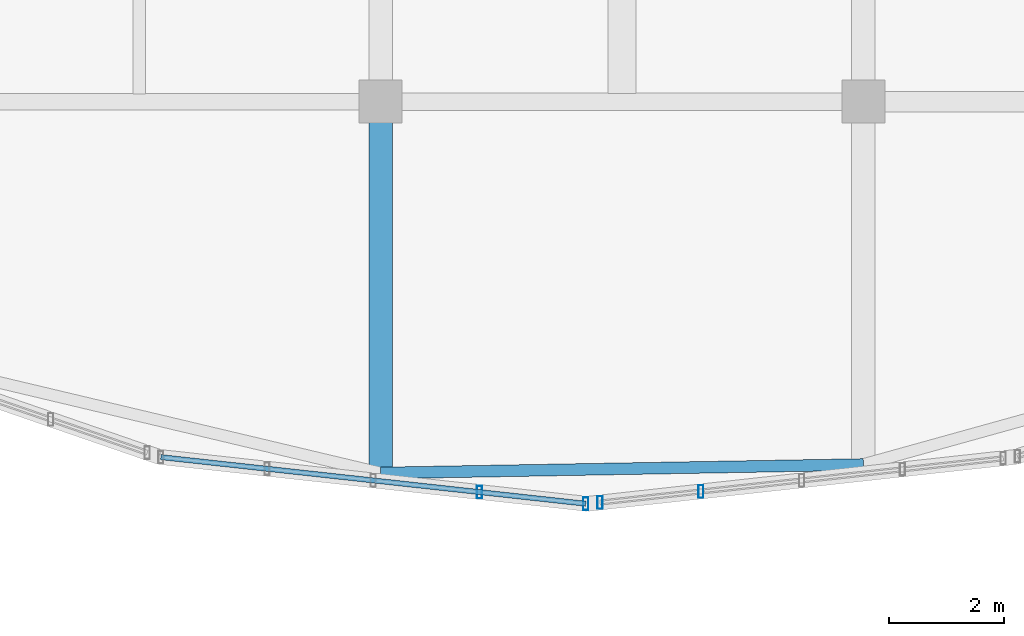
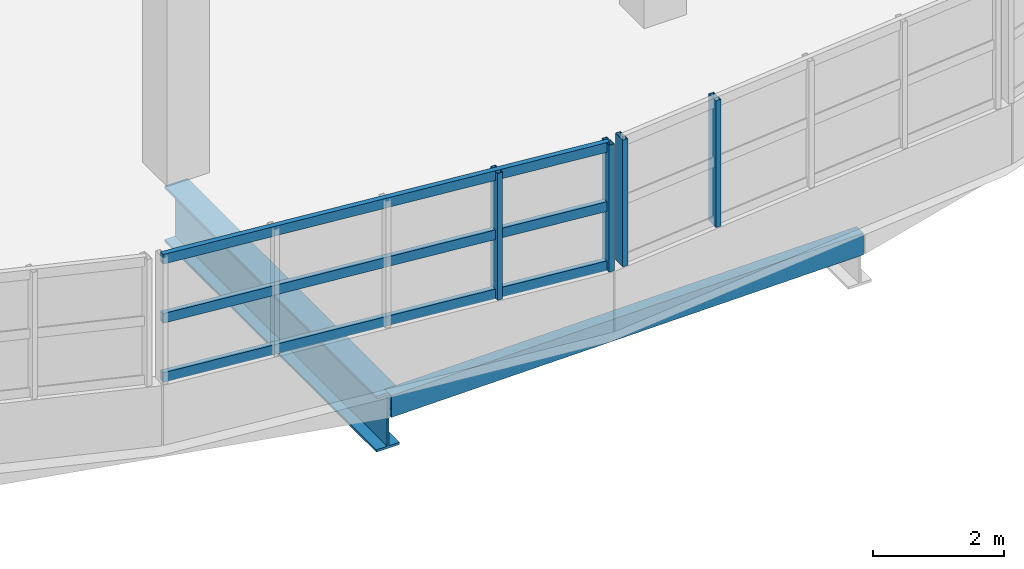
# One storey, part 7 of 77: 7 members, 2 beams, 2 elements without a shape of their own.
"""IFC4 building model written with IfcOpenShell, lengths in metres."""

from ifc_helpers import new_model, si_unit, direction, frame, origin, origin_2d, place, context, subcontext, project, spatial, hollow_rectangle, i_section, extrude, material, material_profile, profile_set, type_object, element, aggregate, save


model = new_model("IFC4")

# Units and contexts
model_context = context("Model", 3, precision=1e-05, world=origin(), true_north=direction((0.0, 1.0)))
body_context = subcontext(model_context, "Body", "Model", "MODEL_VIEW")
ifc_project = project(units=[si_unit("LENGTHUNIT", "METRE"), si_unit("AREAUNIT", "SQUARE_METRE"), si_unit("VOLUMEUNIT", "CUBIC_METRE"), si_unit("PLANEANGLEUNIT", "RADIAN"), si_unit("MASSUNIT", "GRAM", prefix="KILO")], contexts=[model_context])

# Site, building, storey
site_placement = place(None, origin())
site = spatial("IfcSite", under=ifc_project, at=site_placement, CompositionType="ELEMENT")
building_placement = place(site_placement, origin())
building = spatial("IfcBuilding", under=site, at=building_placement, Name="Solvento Point Concert Hall", CompositionType="ELEMENT")
storey_placement = place(building_placement, frame((0.0, 0.0, 10.199951171875)))
storey = spatial("IfcBuildingStorey", under=building, at=storey_placement, Name="L02", CompositionType="ELEMENT", Elevation=10.199951171875)

# Beam
ifc_material_1 = material(Name="Structural Steel ASTM A992 Grade 50", Category="steel")
ifc_material_profile_1 = material_profile(ifc_material_1, i_section(OverallWidth=0.408935546875, OverallDepth=1.041015625, WebThickness=0.031005859375, FlangeThickness=0.04443359375, at=origin_2d()), Name="W40X397")
ifc_profile_set_1 = profile_set([ifc_material_profile_1], Name="Structural Steel ASTM A992 Grade 50")
beam_type_1 = type_object("IfcBeamType", Name="CantileverGirder_W40X397", PredefinedType="USERDEFINED", material=ifc_profile_set_1)
beam_1_placement = place(storey_placement, frame((57.60009765625, 17.0, -0.79541015625), z_axis=(0.0, -1.0, 0.0), x_axis=(1.0, 0.0, 0.0)))
element("IfcBeam", 1, at=beam_1_placement, inside=storey, type_object=beam_type_1, Name="Radial cantilever girder CG-01 L02", ObjectType="GIRDER", PredefinedType="USERDEFINED", context=body_context, shape_type="SweptSolid", body=[
    extrude(i_section(OverallWidth=0.408935546875, OverallDepth=1.041015625, WebThickness=0.031005859375, FlangeThickness=0.04443359375, at=origin_2d()), origin(), (0.0, 0.0, 1.0), 6.4619140625),
])

# Curtain wall, members
ifc_material_2 = material(Name="Anodized Bronze Aluminium", Category="aluminium")
curtain_wall_type = type_object("IfcCurtainWallType", Name="CurtainWall_RingRibbon_L01_02", PredefinedType="USERDEFINED", material=ifc_material_2)
curtain_wall_1_placement = place(storey_placement, origin())
curtain_wall_1 = element("IfcCurtainWall", 2, at=curtain_wall_1_placement, inside=storey, type_object=curtain_wall_type, Name="Unitised curtain wall CW-59 UCW-L02-165", ObjectType="UNITISED CURTAIN WALL", PredefinedType="USERDEFINED")
ifc_material_3 = material(Name="Anodized Bronze Aluminium", Category="aluminium")
ifc_material_profile_2 = material_profile(ifc_material_3, hollow_rectangle(XDim=0.090087890625, YDim=0.219970703125, WallThickness=0.00439453125, at=origin_2d()), Name="CW-MUL-90X220")
ifc_profile_set_2 = profile_set([ifc_material_profile_2], Name="Anodized Bronze Aluminium")
member_type_1 = type_object("IfcMemberType", Name="Mullion_90x220", PredefinedType="MULLION", material=ifc_profile_set_2)
member_1_placement = place(storey_placement, frame((61.170166015625, 10.00341796875, 1.1201171875), z_axis=(0.0, 0.0, 1.0), x_axis=(1.0, 0.0, 0.0)))
member_1 = element("IfcMember", 3, at=member_1_placement, type_object=member_type_1, Name="Curtain wall mullion ML-02", PredefinedType="MULLION", context=body_context, shape_type="SweptSolid", body=[
    extrude(hollow_rectangle(XDim=0.090087890625, YDim=0.219970703125, WallThickness=0.00439453125, at=origin_2d()), origin(), (0.0, 0.0, 1.0), 2.36181640625),
])
member_2_placement = place(storey_placement, frame((59.321533203125, 10.2060546875, 1.1201171875), z_axis=(0.0, 0.0, 1.0), x_axis=(1.0, 0.0, 0.0)))
member_2 = element("IfcMember", 4, at=member_2_placement, type_object=member_type_1, Name="Curtain wall mullion ML-02", PredefinedType="MULLION", context=body_context, shape_type="SweptSolid", body=[
    extrude(hollow_rectangle(XDim=0.090087890625, YDim=0.219970703125, WallThickness=0.00439453125, at=origin_2d()), origin(), (0.0, 0.0, 1.0), 2.36181640625),
])

curtain_wall_2_placement = place(storey_placement, origin())
curtain_wall_2 = element("IfcCurtainWall", 5, at=curtain_wall_2_placement, inside=storey, type_object=curtain_wall_type, Name="Unitised curtain wall CW-59 UCW-L02-185", ObjectType="UNITISED CURTAIN WALL", PredefinedType="USERDEFINED")
member_3_placement = place(storey_placement, frame((63.1728515625, 10.21630859375, 1.1201171875), z_axis=(0.0, 0.0, 1.0), x_axis=(1.0, 0.0, 0.0)))
member_3 = element("IfcMember", 6, at=member_3_placement, type_object=member_type_1, Name="Curtain wall mullion ML-02", PredefinedType="MULLION", context=body_context, shape_type="SweptSolid", body=[
    extrude(hollow_rectangle(XDim=0.090087890625, YDim=0.219970703125, WallThickness=0.00439453125, at=origin_2d()), origin(), (0.0, 0.0, 1.0), 2.36181640625),
])
member_4_placement = place(storey_placement, frame((61.418701171875, 10.02392578125, 1.1201171875), z_axis=(0.0, 0.0, 1.0), x_axis=(1.0, 0.0, 0.0)))
member_4 = element("IfcMember", 7, at=member_4_placement, type_object=member_type_1, Name="Curtain wall mullion ML-02", PredefinedType="MULLION", context=body_context, shape_type="SweptSolid", body=[
    extrude(hollow_rectangle(XDim=0.090087890625, YDim=0.219970703125, WallThickness=0.00439453125, at=origin_2d()), origin(), (0.0, 0.0, 1.0), 2.36181640625),
])
aggregate(curtain_wall_2, [member_3, member_4])

# Beam
ifc_material_4 = material(Name="Structural Steel ASTM A500 Grade C", Category="steel")
ifc_material_profile_3 = material_profile(ifc_material_4, hollow_rectangle(XDim=0.203125, YDim=0.406494140625, WallThickness=0.01171875, at=origin_2d()), Name="HSS16X8X1/2")
ifc_profile_set_3 = profile_set([ifc_material_profile_3], Name="Structural Steel ASTM A500 Grade C")
beam_type_2 = type_object("IfcBeamType", Name="RingBeam_HSS16X8", PredefinedType="SPANDREL", material=ifc_profile_set_3)
beam_2_placement = place(storey_placement, frame((57.60009765625, 10.5380859375, -0.47705078125), z_axis=(0.999845434813, 0.017581424405, 0.0), x_axis=(-0.017581424405, 0.999845434813, 0.0)))
element("IfcBeam", 8, at=beam_2_placement, inside=storey, type_object=beam_type_2, Name="Elliptical perimeter ring beam RB-01 L02", PredefinedType="SPANDREL", context=body_context, shape_type="SweptSolid", body=[
    extrude(hollow_rectangle(XDim=0.203125, YDim=0.406494140625, WallThickness=0.01171875, at=origin_2d()), origin(), (0.0, 0.0, 1.0), 8.401123046875),
])

# Member
ifc_material_5 = material(Name="Anodized Bronze Aluminium", Category="aluminium")
ifc_material_profile_4 = material_profile(ifc_material_5, hollow_rectangle(XDim=0.090087890625, YDim=0.179931640625, WallThickness=0.00439453125, at=origin_2d()), Name="CW-TRN-90X180")
ifc_profile_set_4 = profile_set([ifc_material_profile_4], Name="Anodized Bronze Aluminium")
member_type_2 = type_object("IfcMemberType", Name="Transom_90x180", PredefinedType="USERDEFINED", material=ifc_profile_set_4)
member_5_placement = place(storey_placement, frame((61.170166015625, 10.00341796875, 1.199951171875), z_axis=(-0.994038444708, 0.109030135481, 0.0), x_axis=(-0.109030135481, -0.994038444708, 0.0)))
member_5 = element("IfcMember", 9, at=member_5_placement, type_object=member_type_2, Name="Curtain wall transom TR-02", ObjectType="TRANSOM", PredefinedType="USERDEFINED", context=body_context, shape_type="SweptSolid", body=[
    extrude(hollow_rectangle(XDim=0.090087890625, YDim=0.179931640625, WallThickness=0.00439453125, at=origin_2d()), origin(), (0.0, 0.0, 1.0), 7.438720703125),
])

member_6_placement = place(storey_placement, frame((61.170166015625, 10.00341796875, 2.301025390625), z_axis=(-0.994038444708, 0.109030135481, 0.0), x_axis=(-0.109030135481, -0.994038444708, 0.0)))
member_6 = element("IfcMember", 10, at=member_6_placement, type_object=member_type_2, Name="Curtain wall transom TR-02", ObjectType="TRANSOM", PredefinedType="USERDEFINED", context=body_context, shape_type="SweptSolid", body=[
    extrude(hollow_rectangle(XDim=0.090087890625, YDim=0.179931640625, WallThickness=0.00439453125, at=origin_2d()), origin(), (0.0, 0.0, 1.0), 7.438720703125),
])

member_7_placement = place(storey_placement, frame((61.170166015625, 10.00341796875, 3.402099609375), z_axis=(-0.994038444708, 0.109030135481, 0.0), x_axis=(-0.109030135481, -0.994038444708, 0.0)))
member_7 = element("IfcMember", 11, at=member_7_placement, type_object=member_type_2, Name="Curtain wall transom TR-02", ObjectType="TRANSOM", PredefinedType="USERDEFINED", context=body_context, shape_type="SweptSolid", body=[
    extrude(hollow_rectangle(XDim=0.090087890625, YDim=0.179931640625, WallThickness=0.00439453125, at=origin_2d()), origin(), (0.0, 0.0, 1.0), 7.438720703125),
])

aggregate(curtain_wall_1, [member_1, member_2, member_5, member_6, member_7])

save(model, "model.ifc")
